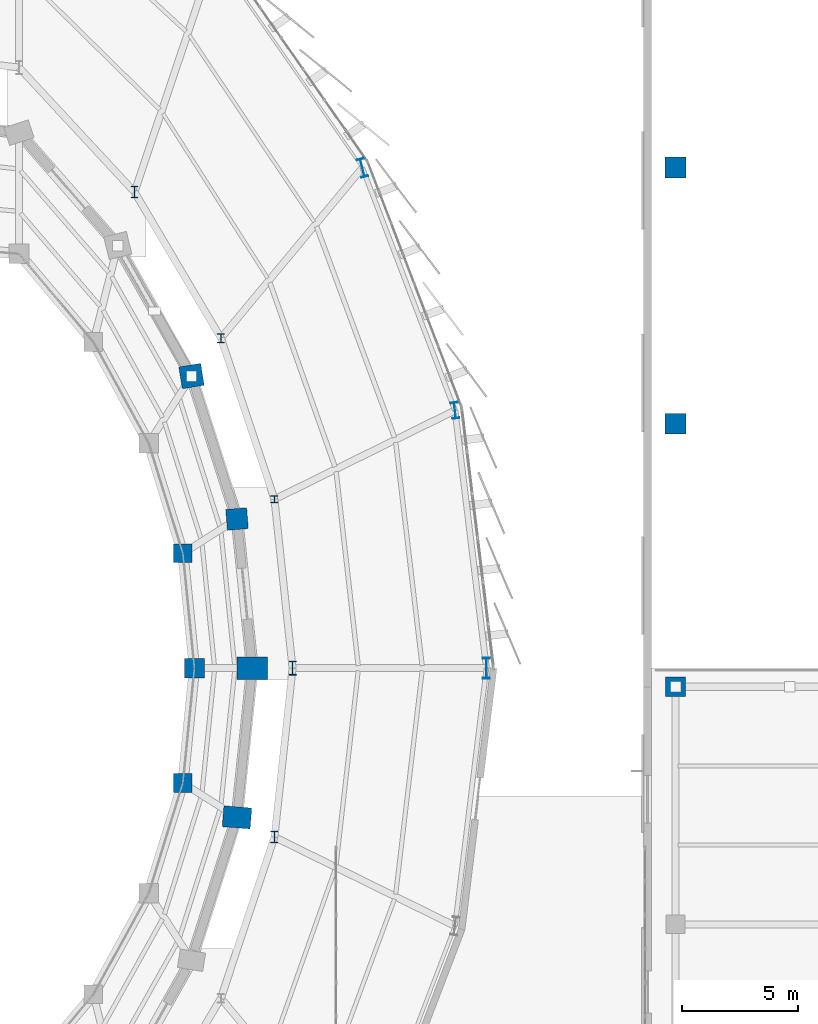
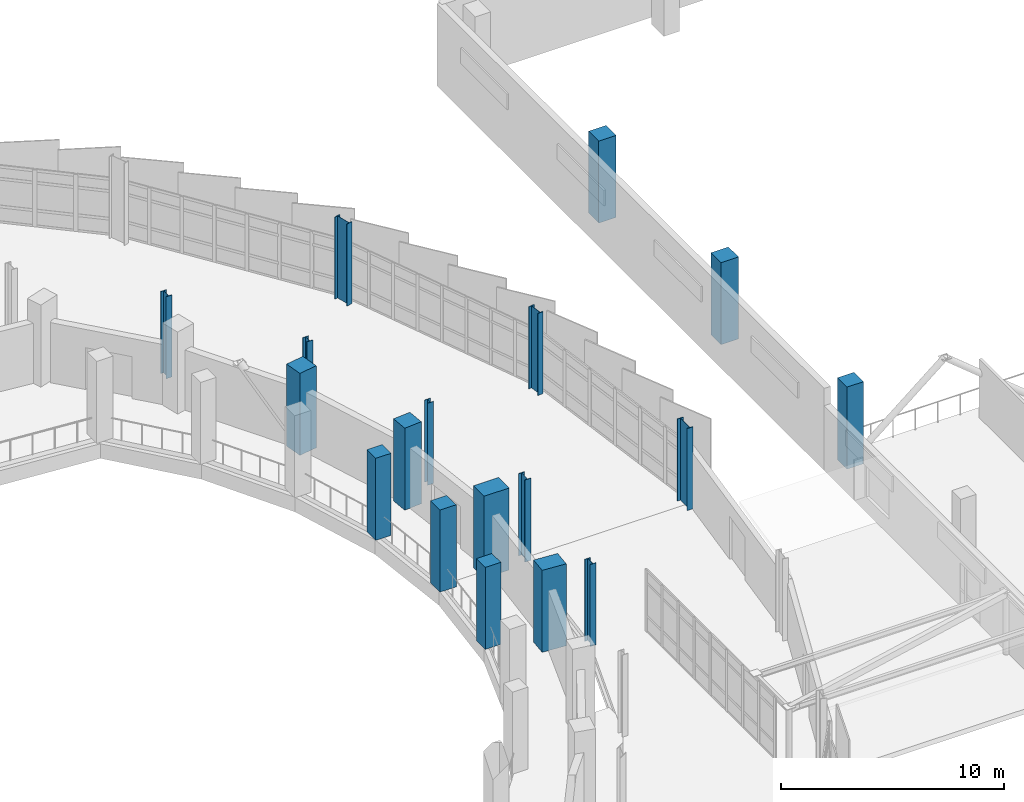
# One storey, part 22 of 125: 18 columns.
"""IFC4 building model written with IfcOpenShell, lengths in metres."""

from ifc_helpers import new_model, si_unit, direction, frame, origin, origin_2d, place, context, subcontext, project, spatial, rectangle, i_section, extrude, material, material_profile, profile_set, type_object, element, save


model = new_model("IFC4")

# Units and contexts
model_context = context("Model", 3, precision=1e-05, world=origin(), true_north=direction((0.0, 1.0)))
body_context = subcontext(model_context, "Body", "Model", "MODEL_VIEW")
ifc_project = project(units=[si_unit("LENGTHUNIT", "METRE"), si_unit("AREAUNIT", "SQUARE_METRE"), si_unit("VOLUMEUNIT", "CUBIC_METRE"), si_unit("PLANEANGLEUNIT", "RADIAN"), si_unit("MASSUNIT", "GRAM", prefix="KILO")], contexts=[model_context])

# Site, building, storey
site_placement = place(None, origin())
site = spatial("IfcSite", under=ifc_project, at=site_placement, CompositionType="ELEMENT")
building_placement = place(site_placement, origin())
building = spatial("IfcBuilding", under=site, at=building_placement, Name="Sohan Crest Arena", CompositionType="ELEMENT")
storey_placement = place(building_placement, frame((0.0, 0.0, 9.0)))
storey = spatial("IfcBuildingStorey", under=building, at=storey_placement, Name="L02", CompositionType="ELEMENT", Elevation=9.0)

# Columns
ifc_material_1 = material(Name="Concrete C40/50", Category="concrete")
ifc_material_profile_1 = material_profile(ifc_material_1, rectangle(XDim=0.800048828125, YDim=0.800048828125, at=origin_2d()), Name="RC 800x800")
ifc_profile_set_1 = profile_set([ifc_material_profile_1], Name="Concrete C40/50")
column_type_1 = type_object("IfcColumnType", Name="STR-COL-C05", PredefinedType="COLUMN", material=ifc_profile_set_1)
for number, where, z_axis, x_axis, name in (
    (1, (175.037109375, 73.070068359375, 0.0), (0.0, 0.0, 1.0), (1.0, 0.0, 0.0), "Structural column COL-V1M-23-L02"),
    (2, (175.037109375, 82.929931640625, 0.0), (0.0, 0.0, 1.0), (1.0, 0.0, 0.0), "Structural column COL-V1M-25-L02"),
):
    element("IfcColumn", number, at=place(storey_placement, frame(where, z_axis=z_axis, x_axis=x_axis)), inside=storey, type_object=column_type_1, Name=name, PredefinedType="COLUMN", context=body_context, shape_type="SweptSolid", body=[
        extrude(rectangle(XDim=0.800048828125, YDim=0.800048828125, at=origin_2d()), origin(), (0.0, 0.0, 1.0), 4.5),
    ])
ifc_material_profile_2 = material_profile(ifc_material_1, rectangle(XDim=0.85009765625, YDim=0.85009765625, at=origin_2d()), Name="RC 850x850")
ifc_profile_set_2 = profile_set([ifc_material_profile_2], Name="Concrete C40/50")
column_type_2 = type_object("IfcColumnType", Name="STR-COL-C06", PredefinedType="COLUMN", material=ifc_profile_set_2)
for number, where, z_axis, x_axis, name in (
    (3, (175.531982421875, 78.0, 0.0), (0.0, 0.0, 1.0), (1.0, 0.0, 0.0), "Structural column COL-V1M-24-L02"),
    (4, (196.199951171875, 77.199951171875, 0.0), (0.0, 0.0, 1.0), (1.0, 0.0, 0.0), "Structural column COL-V4S-14-L02"),
):
    element("IfcColumn", number, at=place(storey_placement, frame(where, z_axis=z_axis, x_axis=x_axis)), inside=storey, type_object=column_type_2, Name=name, PredefinedType="COLUMN", context=body_context, shape_type="SweptSolid", body=[
        extrude(rectangle(XDim=0.85009765625, YDim=0.85009765625, at=origin_2d()), origin(), (0.0, 0.0, 1.0), 4.5),
    ])
ifc_material_profile_3 = material_profile(ifc_material_1, rectangle(XDim=0.89990234375, YDim=0.89990234375, at=origin_2d()), Name="RC 900x900")
ifc_profile_set_3 = profile_set([ifc_material_profile_3], Name="Concrete C40/50")
column_type_3 = type_object("IfcColumnType", Name="STR-COL-C07", PredefinedType="COLUMN", material=ifc_profile_set_3)
for number, where, z_axis, x_axis, name in (
    (5, (177.363037109375, 84.406982421875, 0.0), (0.0, 0.0, 1.0), (0.996778878456, 0.080198924329, 0.0), "Structural column COL-V1R-25-L02"),
    (6, (196.199951171875, 88.5, 0.0), (0.0, 0.0, 1.0), (1.0, 0.0, 0.0), "Structural column COL-V4G-W1-L02"),
    (7, (196.199951171875, 99.5, 0.0), (0.0, 0.0, 1.0), (1.0, 0.0, 0.0), "Structural column COL-V4G-W2-L02"),
):
    element("IfcColumn", number, at=place(storey_placement, frame(where, z_axis=z_axis, x_axis=x_axis)), inside=storey, type_object=column_type_3, Name=name, PredefinedType="COLUMN", context=body_context, shape_type="SweptSolid", body=[
        extrude(rectangle(XDim=0.89990234375, YDim=0.89990234375, at=origin_2d()), origin(), (0.0, 0.0, 1.0), 4.5),
    ])
ifc_material_profile_4 = material_profile(ifc_material_1, rectangle(XDim=0.949951171875, YDim=0.949951171875, at=origin_2d()), Name="RC 950x950")
ifc_profile_set_4 = profile_set([ifc_material_profile_4], Name="Concrete C40/50")
column_type_4 = type_object("IfcColumnType", Name="STR-COL-C08", PredefinedType="COLUMN", material=ifc_profile_set_4)
column_1_placement = place(storey_placement, frame((175.408935546875, 90.544921875, 0.0), z_axis=(0.0, 0.0, 1.0), x_axis=(0.987136265073, 0.159881187692, 0.0)))
element("IfcColumn", 8, at=column_1_placement, inside=storey, type_object=column_type_4, Name="Structural column COL-V1R-26-L02", PredefinedType="COLUMN", context=body_context, shape_type="SweptSolid", body=[
    extrude(rectangle(XDim=0.949951171875, YDim=0.949951171875, at=origin_2d()), origin(), (0.0, 0.0, 1.0), 4.5),
])
ifc_material_profile_5 = material_profile(ifc_material_1, rectangle(XDim=1.199951171875, YDim=0.89990234375, at=origin_2d()), Name="RC 1200x900")
ifc_profile_set_5 = profile_set([ifc_material_profile_5], Name="Concrete C40/50")
column_type_5 = type_object("IfcColumnType", Name="STR-COL-C11", PredefinedType="COLUMN", material=ifc_profile_set_5)
column_2_placement = place(storey_placement, frame((177.363037109375, 71.593017578125, 0.0), z_axis=(0.0, 0.0, 1.0), x_axis=(-0.996778878456, 0.080198924329, 0.0)))
element("IfcColumn", 9, at=column_2_placement, inside=storey, type_object=column_type_5, Name="Structural column COL-V1R-23-L02", PredefinedType="COLUMN", context=body_context, shape_type="SweptSolid", body=[
    extrude(rectangle(XDim=1.199951171875, YDim=0.89990234375, at=origin_2d()), origin(), (0.0, 0.0, 1.0), 4.5),
])
ifc_material_profile_6 = material_profile(ifc_material_1, rectangle(XDim=1.300048828125, YDim=0.949951171875, at=origin_2d()), Name="RC 1300x950")
ifc_profile_set_6 = profile_set([ifc_material_profile_6], Name="Concrete C40/50")
column_type_6 = type_object("IfcColumnType", Name="STR-COL-C12", PredefinedType="COLUMN", material=ifc_profile_set_6)
column_3_placement = place(storey_placement, frame((178.02294921875, 78.0, 0.0), z_axis=(0.0, 0.0, 1.0), x_axis=(1.0, 0.0, 0.0)))
element("IfcColumn", 10, at=column_3_placement, inside=storey, type_object=column_type_6, Name="Structural column COL-V1R-24-L02", PredefinedType="COLUMN", context=body_context, shape_type="SweptSolid", body=[
    extrude(rectangle(XDim=1.300048828125, YDim=0.949951171875, at=origin_2d()), origin(), (0.0, 0.0, 1.0), 4.5),
])
ifc_material_2 = material(Name="Steel S355", Category="steel")
ifc_material_profile_7 = material_profile(ifc_material_2, i_section(OverallWidth=0.300048828125, OverallDepth=0.300048828125, WebThickness=0.010986328125, FlangeThickness=0.01904296875, at=origin_2d()), Name="HEB 300")
ifc_profile_set_7 = profile_set([ifc_material_profile_7], Name="Steel S355")
column_type_7 = type_object("IfcColumnType", Name="STR-COL-C17", PredefinedType="COLUMN", material=ifc_profile_set_7)
column_4_placement = place(storey_placement, frame((178.971923828125, 85.251953125, 0.0), z_axis=(0.0, 0.0, 1.0), x_axis=(1.0, 0.0, 0.0)))
element("IfcColumn", 11, at=column_4_placement, inside=storey, type_object=column_type_7, Name="Structural column COL-V2I-25-L02", PredefinedType="COLUMN", context=body_context, shape_type="SweptSolid", body=[
    extrude(i_section(OverallWidth=0.300048828125, OverallDepth=0.300048828125, WebThickness=0.010986328125, FlangeThickness=0.01904296875, at=origin_2d()), origin(), (0.0, 0.0, 1.0), 4.5),
])
ifc_material_profile_8 = material_profile(ifc_material_2, i_section(OverallWidth=0.300048828125, OverallDepth=0.39990234375, WebThickness=0.013427734375, FlangeThickness=0.02392578125, at=origin_2d()), Name="HEB 400")
ifc_profile_set_8 = profile_set([ifc_material_profile_8], Name="Steel S355")
column_type_8 = type_object("IfcColumnType", Name="STR-COL-C18", PredefinedType="COLUMN", material=ifc_profile_set_8)
column_5_placement = place(storey_placement, frame((176.674072265625, 92.175048828125, 0.0), z_axis=(0.0, 0.0, 1.0), x_axis=(1.0, 0.0, 0.0)))
element("IfcColumn", 12, at=column_5_placement, inside=storey, type_object=column_type_8, Name="Structural column COL-V2I-26-L02", PredefinedType="COLUMN", context=body_context, shape_type="SweptSolid", body=[
    extrude(i_section(OverallWidth=0.300048828125, OverallDepth=0.39990234375, WebThickness=0.013427734375, FlangeThickness=0.02392578125, at=origin_2d()), origin(), (0.0, 0.0, 1.0), 4.5),
])
ifc_material_profile_9 = material_profile(ifc_material_2, i_section(OverallWidth=0.300048828125, OverallDepth=0.5, WebThickness=0.014404296875, FlangeThickness=0.028076171875, at=origin_2d()), Name="HEB 500")
ifc_profile_set_9 = profile_set([ifc_material_profile_9], Name="Steel S355")
column_type_9 = type_object("IfcColumnType", Name="STR-COL-C19", PredefinedType="COLUMN", material=ifc_profile_set_9)
for number, where, z_axis, x_axis, name in (
    (13, (178.971923828125, 70.748046875, 0.0), (0.0, 0.0, 1.0), (1.0, 0.0, 0.0), "Structural column COL-V2I-23-L02"),
    (14, (172.9609375, 98.452880859375, 0.0), (0.0, 0.0, 1.0), (1.0, 0.0, 0.0), "Structural column COL-V2I-27-L02"),
):
    element("IfcColumn", number, at=place(storey_placement, frame(where, z_axis=z_axis, x_axis=x_axis)), inside=storey, type_object=column_type_9, Name=name, PredefinedType="COLUMN", context=body_context, shape_type="SweptSolid", body=[
        extrude(i_section(OverallWidth=0.300048828125, OverallDepth=0.5, WebThickness=0.014404296875, FlangeThickness=0.028076171875, at=origin_2d()), origin(), (0.0, 0.0, 1.0), 4.5),
    ])
ifc_material_profile_10 = material_profile(ifc_material_2, i_section(OverallWidth=0.300048828125, OverallDepth=0.60009765625, WebThickness=0.015380859375, FlangeThickness=0.030029296875, at=origin_2d()), Name="HEB 600")
ifc_profile_set_10 = profile_set([ifc_material_profile_10], Name="Steel S355")
column_type_10 = type_object("IfcColumnType", Name="STR-COL-C20", PredefinedType="COLUMN", material=ifc_profile_set_10)
column_6_placement = place(storey_placement, frame((179.75, 78.0, 0.0), z_axis=(0.0, 0.0, 1.0), x_axis=(1.0, 0.0, 0.0)))
element("IfcColumn", 15, at=column_6_placement, inside=storey, type_object=column_type_10, Name="Structural column COL-V2I-24-L02", PredefinedType="COLUMN", context=body_context, shape_type="SweptSolid", body=[
    extrude(i_section(OverallWidth=0.300048828125, OverallDepth=0.60009765625, WebThickness=0.015380859375, FlangeThickness=0.030029296875, at=origin_2d()), origin(), (0.0, 0.0, 1.0), 4.5),
])
ifc_material_profile_11 = material_profile(ifc_material_2, i_section(OverallWidth=0.300048828125, OverallDepth=0.699951171875, WebThickness=0.01708984375, FlangeThickness=0.031982421875, at=origin_2d()), Name="HEB 700")
ifc_profile_set_11 = profile_set([ifc_material_profile_11], Name="Steel S355")
column_type_11 = type_object("IfcColumnType", Name="STR-COL-C21", PredefinedType="COLUMN", material=ifc_profile_set_11)
column_7_placement = place(storey_placement, frame((186.72509765625, 89.070068359375, 0.0), z_axis=(0.0, 0.0, 1.0), x_axis=(0.992331937885, 0.12360147674, 0.0)))
element("IfcColumn", 16, at=column_7_placement, inside=storey, type_object=column_type_11, Name="Structural column COL-V2O-25-L02", PredefinedType="COLUMN", context=body_context, shape_type="SweptSolid", body=[
    extrude(i_section(OverallWidth=0.300048828125, OverallDepth=0.699951171875, WebThickness=0.01708984375, FlangeThickness=0.031982421875, at=origin_2d()), origin(), (0.0, 0.0, 1.0), 4.5),
])
ifc_material_profile_12 = material_profile(ifc_material_2, i_section(OverallWidth=0.300048828125, OverallDepth=0.800048828125, WebThickness=0.017578125, FlangeThickness=0.032958984375, at=origin_2d()), Name="HEB 800")
ifc_profile_set_12 = profile_set([ifc_material_profile_12], Name="Steel S355")
column_type_12 = type_object("IfcColumnType", Name="STR-COL-C22", PredefinedType="COLUMN", material=ifc_profile_set_12)
column_8_placement = place(storey_placement, frame((182.7490234375, 99.489013671875, 0.0), z_axis=(0.0, 0.0, 1.0), x_axis=(0.969445349895, 0.245307385879, 0.0)))
element("IfcColumn", 17, at=column_8_placement, inside=storey, type_object=column_type_12, Name="Structural column COL-V2O-26-L02", PredefinedType="COLUMN", context=body_context, shape_type="SweptSolid", body=[
    extrude(i_section(OverallWidth=0.300048828125, OverallDepth=0.800048828125, WebThickness=0.017578125, FlangeThickness=0.032958984375, at=origin_2d()), origin(), (0.0, 0.0, 1.0), 4.5),
])
ifc_material_profile_13 = material_profile(ifc_material_2, i_section(OverallWidth=0.300048828125, OverallDepth=0.89990234375, WebThickness=0.0185546875, FlangeThickness=0.034912109375, at=origin_2d()), Name="HEB 900")
ifc_profile_set_13 = profile_set([ifc_material_profile_13], Name="Steel S355")
column_type_13 = type_object("IfcColumnType", Name="STR-COL-C23", PredefinedType="COLUMN", material=ifc_profile_set_13)
column_9_placement = place(storey_placement, frame((188.076904296875, 78.0, 0.0), z_axis=(0.0, 0.0, 1.0), x_axis=(1.0, 0.0, 0.0)))
element("IfcColumn", 18, at=column_9_placement, inside=storey, type_object=column_type_13, Name="Structural column COL-V2O-24-L02", PredefinedType="COLUMN", context=body_context, shape_type="SweptSolid", body=[
    extrude(i_section(OverallWidth=0.300048828125, OverallDepth=0.89990234375, WebThickness=0.0185546875, FlangeThickness=0.034912109375, at=origin_2d()), origin(), (0.0, 0.0, 1.0), 4.5),
])

save(model, "model.ifc")
